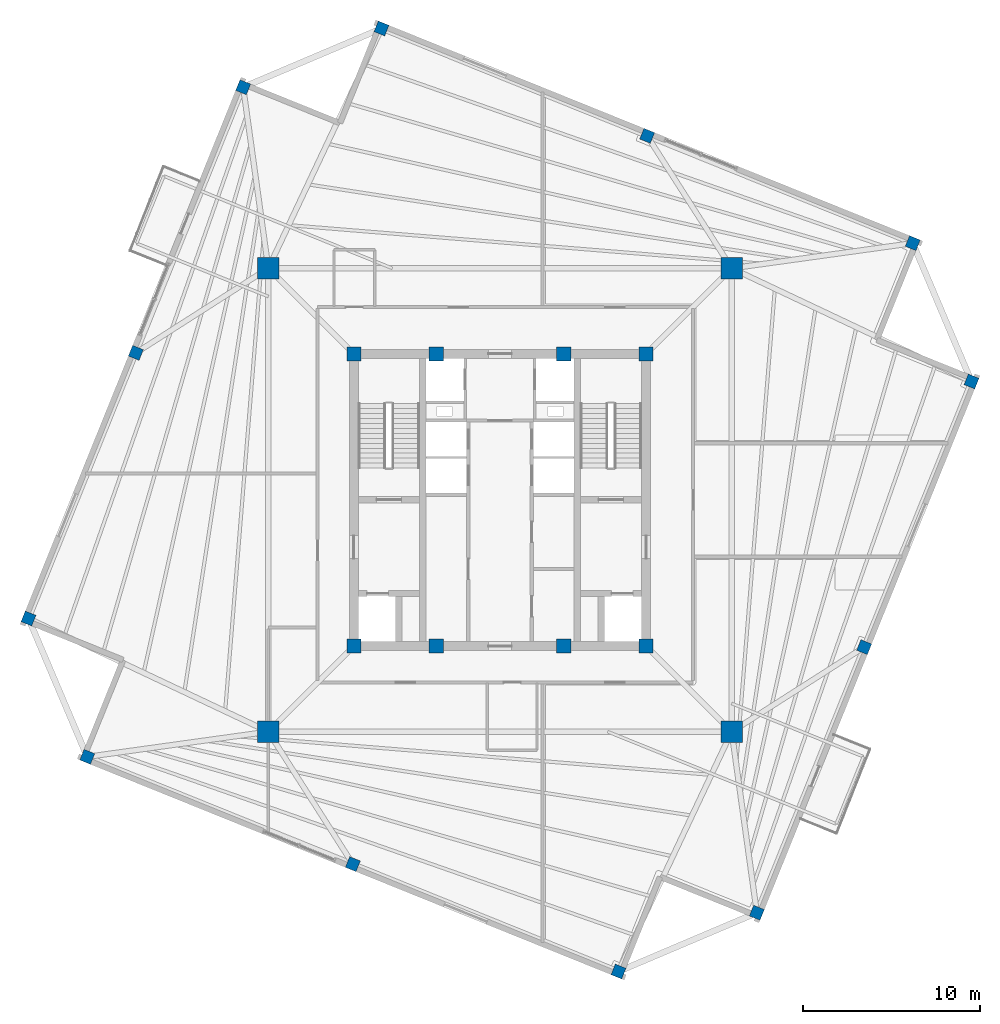
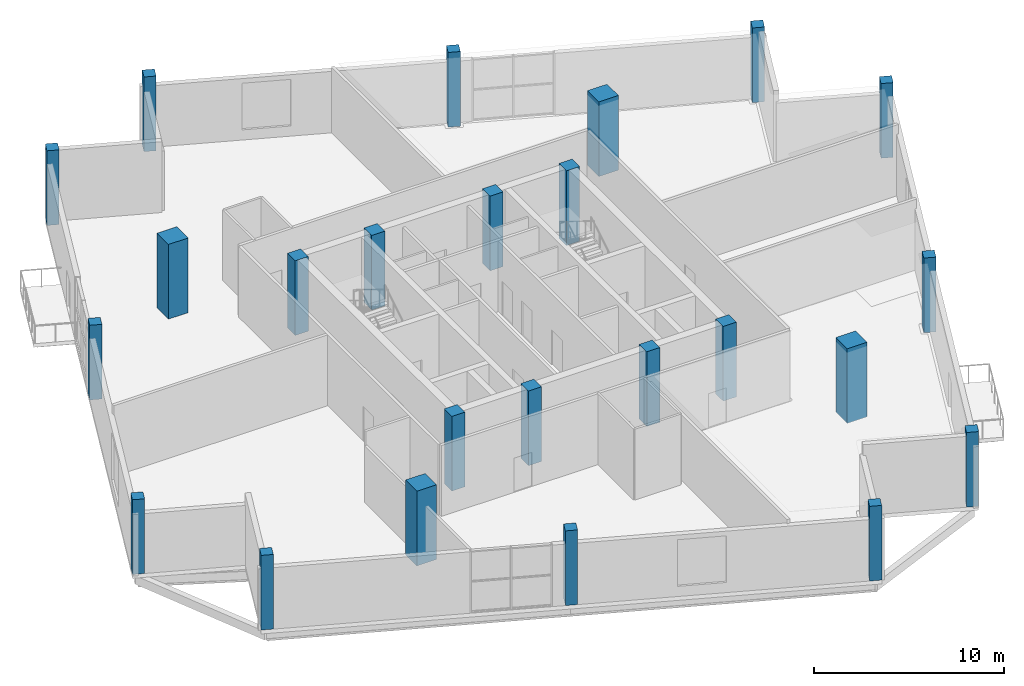
# One storey, part 1 of 12: 24 columns.
"""IFC4 building model written with IfcOpenShell, lengths in metres."""

from ifc_helpers import new_model, si_unit, direction, frame, origin, origin_2d, place, context, subcontext, project, spatial, rectangle, extrude, source, transform, mapped, material, material_profile, profile_set, type_object, element, save


model = new_model("IFC4")

# Units and contexts
model_context = context("Model", 3, precision=1e-05, world=origin(), true_north=direction((0.0, 1.0)))
body_context = subcontext(model_context, "Body", "Model", "MODEL_VIEW")
ifc_project = project(units=[si_unit("LENGTHUNIT", "METRE"), si_unit("AREAUNIT", "SQUARE_METRE"), si_unit("VOLUMEUNIT", "CUBIC_METRE"), si_unit("PLANEANGLEUNIT", "RADIAN"), si_unit("MASSUNIT", "GRAM", prefix="KILO"), si_unit("THERMODYNAMICTEMPERATUREUNIT", "KELVIN")], contexts=[model_context])

# Site, building, storey
site_placement = place(None, origin())
site = spatial("IfcSite", under=ifc_project, at=site_placement, CompositionType="ELEMENT")
building_placement = place(site_placement, origin())
building = spatial("IfcBuilding", under=site, at=building_placement, Name="Kosmvard Interchange Tower", CompositionType="ELEMENT")
storey_placement = place(building_placement, frame((0.0, 0.0, 312.0)))
storey = spatial("IfcBuildingStorey", under=building, at=storey_placement, Name="L77", CompositionType="ELEMENT", Elevation=312.0)

# Columns
ifc_material = material(Name="Concrete C50/60", Category="concrete")
ifc_material_profile_1 = material_profile(ifc_material, rectangle(XDim=0.800048828125, YDim=0.800048828125, at=origin_2d()), Name="CP 800x800")
ifc_profile_set_1 = profile_set([ifc_material_profile_1], Name="Concrete C50/60")
column_type_1 = type_object("IfcColumnType", Name="Core Boundary Pilaster 800x800 C50/60", PredefinedType="PILASTER", material=ifc_profile_set_1)
shared_shape_1 = source(origin(), body_context, "Body", "SweptSolid", [
    extrude(rectangle(XDim=0.800048828125, YDim=0.800048828125, at=origin_2d()), origin(), (0.0, 0.0, 1.0), 4.800048828125),
])
for number, where, z_axis, x_axis, name in (
    (1, (-8.25, -8.25, 0.0), (0.0, 0.0, 1.0), (1.0, 0.0, 0.0), "L77 Core Pilaster CP1"),
    (2, (8.25, -8.25, 0.0), (0.0, 0.0, 1.0), (1.0, 0.0, 0.0), "L77 Core Pilaster CP2"),
    (3, (8.25, 8.25, 0.0), (0.0, 0.0, 1.0), (1.0, 0.0, 0.0), "L77 Core Pilaster CP3"),
    (4, (-8.25, 8.25, 0.0), (0.0, 0.0, 1.0), (1.0, 0.0, 0.0), "L77 Core Pilaster CP4"),
    (5, (-3.60009765625, -8.25, 0.0), (0.0, 0.0, 1.0), (1.0, 0.0, 0.0), "L77 Core Pilaster CP5"),
    (6, (3.60009765625, -8.25, 0.0), (0.0, 0.0, 1.0), (1.0, 0.0, 0.0), "L77 Core Pilaster CP6"),
    (7, (-3.60009765625, 8.25, 0.0), (0.0, 0.0, 1.0), (1.0, 0.0, 0.0), "L77 Core Pilaster CP7"),
    (8, (3.60009765625, 8.25, 0.0), (0.0, 0.0, 1.0), (1.0, 0.0, 0.0), "L77 Core Pilaster CP8"),
):
    element("IfcColumn", number, at=place(storey_placement, frame(where, z_axis=z_axis, x_axis=x_axis)), inside=storey, type_object=column_type_1, Name=name, PredefinedType="PILASTER", context=body_context, shape_type="MappedRepresentation", body=[
        mapped(shared_shape_1, transform((0.0, 0.0, 0.0), scale=1.0)),
    ])
ifc_material_profile_2 = material_profile(ifc_material, rectangle(XDim=1.199951171875, YDim=1.199951171875, at=origin_2d()), Name="MC 1200x1200")
ifc_profile_set_2 = profile_set([ifc_material_profile_2], Name="Concrete C50/60")
column_type_2 = type_object("IfcColumnType", Name="Composite Mega-Column 1200x1200 C50/60", PredefinedType="COLUMN", material=ifc_profile_set_2)
shared_shape_2 = source(origin(), body_context, "Body", "SweptSolid", [
    extrude(rectangle(XDim=1.199951171875, YDim=1.199951171875, at=origin_2d()), origin(), (0.0, 0.0, 1.0), 4.800048828125),
])
for number, where, z_axis, x_axis, name in (
    (9, (-13.0810546875, -13.0810546875, 0.0), (0.0, 0.0, 1.0), (1.0, 0.0, 0.0), "L77 Corner Mega-Column MC1"),
    (10, (13.0810546875, -13.0810546875, 0.0), (0.0, 0.0, 1.0), (1.0, 0.0, 0.0), "L77 Corner Mega-Column MC2"),
    (11, (13.0810546875, 13.0810546875, 0.0), (0.0, 0.0, 1.0), (1.0, 0.0, 0.0), "L77 Corner Mega-Column MC3"),
    (12, (-13.0810546875, 13.0810546875, 0.0), (0.0, 0.0, 1.0), (1.0, 0.0, 0.0), "L77 Corner Mega-Column MC4"),
):
    element("IfcColumn", number, at=place(storey_placement, frame(where, z_axis=z_axis, x_axis=x_axis)), inside=storey, type_object=column_type_2, Name=name, PredefinedType="COLUMN", context=body_context, shape_type="MappedRepresentation", body=[
        mapped(shared_shape_2, transform((0.0, 0.0, 0.0), scale=1.0)),
    ])
ifc_material_profile_3 = material_profile(ifc_material, rectangle(XDim=0.64990234375, YDim=0.64990234375, at=origin_2d()), Name="TC 650x650")
ifc_profile_set_3 = profile_set([ifc_material_profile_3], Name="Concrete C50/60")
column_type_3 = type_object("IfcColumnType", Name="Zone 5 Perimeter Pier Column 650x650 C50/60", PredefinedType="COLUMN", material=ifc_profile_set_3)
shared_shape_3 = source(origin(), body_context, "Body", "SweptSolid", [
    extrude(rectangle(XDim=0.64990234375, YDim=0.64990234375, at=origin_2d()), origin(), (0.0, 0.0, 1.0), 4.800048828125),
])
for number, where, z_axis, x_axis, name in (
    (13, (14.5009765625, -23.30419921875, 0.0), (0.0, 0.0, 1.0), (0.374606593416, 0.927183854567, 0.0), "L77 Perimeter Pier Column TC-S1"),
    (14, (20.560302734375, -8.306884765625, 0.0), (0.0, 0.0, 1.0), (0.374606593416, 0.927183854567, 0.0), "L77 Perimeter Pier Column TC-S2"),
    (15, (26.61962890625, 6.690185546875, 0.0), (0.0, 0.0, 1.0), (0.374606593416, 0.927183854567, 0.0), "L77 Perimeter Pier Column TC-S3"),
    (16, (23.30419921875, 14.5009765625, 0.0), (0.0, 0.0, 1.0), (0.374606593416, 0.927183854567, 0.0), "L77 Perimeter Pier Column TC-E1"),
    (17, (8.306884765625, 20.560302734375, 0.0), (0.0, 0.0, 1.0), (0.374606593416, 0.927183854567, 0.0), "L77 Perimeter Pier Column TC-E2"),
    (18, (-6.690185546875, 26.61962890625, 0.0), (0.0, 0.0, 1.0), (0.374606593416, 0.927183854567, 0.0), "L77 Perimeter Pier Column TC-E3"),
    (19, (-14.5009765625, 23.30419921875, 0.0), (0.0, 0.0, 1.0), (0.374606593416, 0.927183854567, 0.0), "L77 Perimeter Pier Column TC-N1"),
    (20, (-20.560302734375, 8.306884765625, 0.0), (0.0, 0.0, 1.0), (0.374606593416, 0.927183854567, 0.0), "L77 Perimeter Pier Column TC-N2"),
    (21, (-26.61962890625, -6.690185546875, 0.0), (0.0, 0.0, 1.0), (0.374606593416, 0.927183854567, 0.0), "L77 Perimeter Pier Column TC-N3"),
    (22, (-23.30419921875, -14.5009765625, 0.0), (0.0, 0.0, 1.0), (0.374606593416, 0.927183854567, 0.0), "L77 Perimeter Pier Column TC-W1"),
    (23, (-8.306884765625, -20.560302734375, 0.0), (0.0, 0.0, 1.0), (0.374606593416, 0.927183854567, 0.0), "L77 Perimeter Pier Column TC-W2"),
    (24, (6.690185546875, -26.61962890625, 0.0), (0.0, 0.0, 1.0), (0.374606593416, 0.927183854567, 0.0), "L77 Perimeter Pier Column TC-W3"),
):
    element("IfcColumn", number, at=place(storey_placement, frame(where, z_axis=z_axis, x_axis=x_axis)), inside=storey, type_object=column_type_3, Name=name, PredefinedType="COLUMN", context=body_context, shape_type="MappedRepresentation", body=[
        mapped(shared_shape_3, transform((0.0, 0.0, 0.0), scale=1.0)),
    ])

save(model, "model.ifc")
